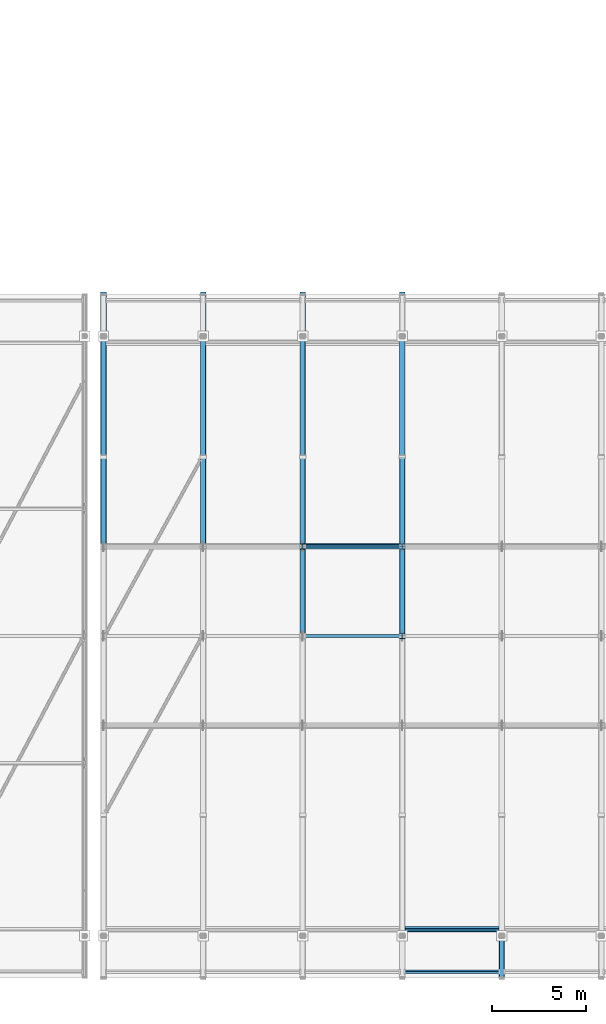
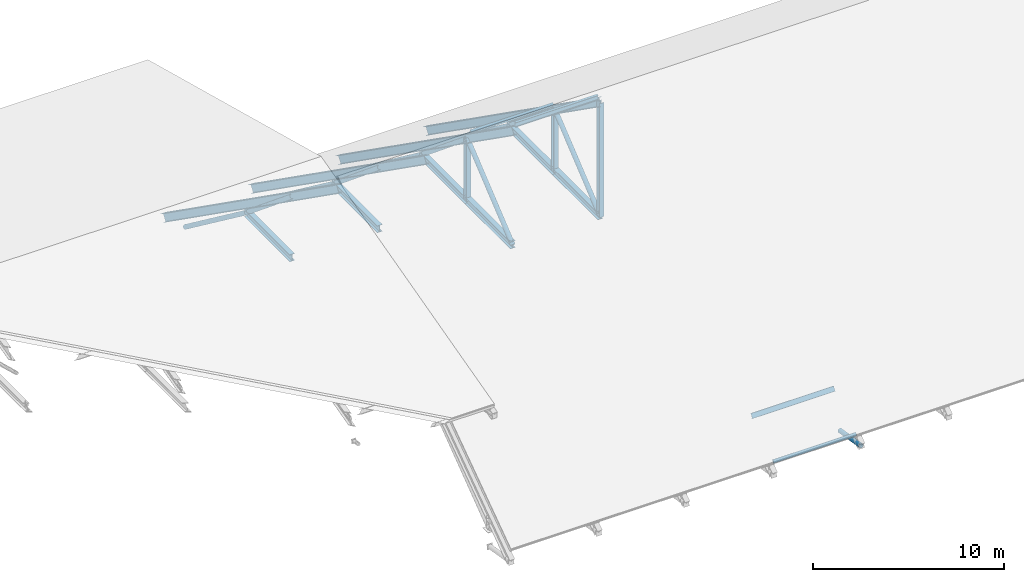
# One storey, part 11 of 57: 24 members, 4 beams.
"""IFC4 building model written with IfcOpenShell, lengths in metres."""

import ifcopenshell
import ifcopenshell.guid

model = None  # the IFC model being written
_history = None  # IfcOwnerHistory: only IFC2X3 demands one
_inside = {}  # id of a spatial element -> (the spatial element, [elements in it])
_under = {}  # id of a project, library or spatial element -> (it, [spatial elements below it])
_declared = {}  # id of a project -> (the project, [libraries it declares])
_typed = {}  # id of a type object -> (the type object, [elements of that type])
_made_of = {}  # id of a material, layer set ... -> (it, [elements and type objects made of it])


def new_model(schema):
    """Start an empty IFC model of exactly this schema.

    Asked for "IFC4X3", IfcOpenShell would pick the latest addendum, in which some entities
    have other attributes; the version numbers below select the first issue.
    IFC2X3 requires an IfcOwnerHistory on every rooted entity: one is made here for all.
    """
    global model, _history
    if schema == "IFC4X3":
        model = ifcopenshell.file(schema_version=(4, 3, 0, 0))
    else:
        model = ifcopenshell.file(schema=schema)
    _inside.clear()
    _under.clear()
    _declared.clear()
    _typed.clear()
    _made_of.clear()
    _history = None
    if model.schema == "IFC2X3":
        org = make("IfcOrganization", Name="unknown")
        user = make(
            "IfcPersonAndOrganization",
            ThePerson=make("IfcPerson", FamilyName="unknown"),
            TheOrganization=org,
        )
        app = make(
            "IfcApplication",
            ApplicationDeveloper=org,
            Version="unknown",
            ApplicationFullName="unknown",
            ApplicationIdentifier="unknown",
        )
        _history = make(
            "IfcOwnerHistory",
            OwningUser=user,
            OwningApplication=app,
            ChangeAction="ADDED",
            CreationDate=0,
        )
    return model


def make(cls, **values):
    """One entity of the class cls with the attributes given. An attribute that is None is left unset."""
    return model.create_entity(
        cls, **{name: value for name, value in values.items() if value is not None}
    )


def rooted(cls, **values):
    """An entity with a GlobalId (a new one), such as an element, a storey or a relation."""
    return make(cls, GlobalId=ifcopenshell.guid.new(), OwnerHistory=_history, **values)


def si_unit(unit_type, name, prefix=None):
    """IfcSIUnit, for example si_unit("LENGTHUNIT", "METRE", prefix="MILLI")."""
    return make("IfcSIUnit", UnitType=unit_type, Prefix=prefix, Name=name)


def assignment(units):
    """IfcUnitAssignment: the units of a project."""
    return None if units is None else make("IfcUnitAssignment", Units=units)


def point(xyz):
    """IfcCartesianPoint."""
    return None if xyz is None else make("IfcCartesianPoint", Coordinates=xyz)


def direction(xyz):
    """IfcDirection."""
    return None if xyz is None else make("IfcDirection", DirectionRatios=xyz)


def frame(location, z_axis=None, x_axis=None):
    """IfcAxis2Placement3D, a coordinate frame: its origin and axes. An axis left out is left unset."""
    return make(
        "IfcAxis2Placement3D",
        Location=point(location),
        Axis=direction(z_axis),
        RefDirection=direction(x_axis),
    )


def frame_2d(location, x_axis=None):
    """IfcAxis2Placement2D, a coordinate frame in the plane: its origin and x axis."""
    return make(
        "IfcAxis2Placement2D", Location=point(location), RefDirection=direction(x_axis)
    )


def origin():
    """The frame at (0, 0, 0) with its axes left unset."""
    return frame((0.0, 0.0, 0.0))


def origin_2d():
    """The frame at (0, 0) in the plane with its x axis left unset."""
    return frame_2d((0.0, 0.0))


def place(relative_to, where):
    """IfcLocalPlacement: puts the frame where relative to a parent placement (None: the world)."""
    return make(
        "IfcLocalPlacement", PlacementRelTo=relative_to, RelativePlacement=where
    )


def context(
    kind, dimensions, precision=None, world=None, true_north=None, identifier=None
):
    """IfcGeometricRepresentationContext, for example the 3D "Model" context."""
    return make(
        "IfcGeometricRepresentationContext",
        ContextIdentifier=identifier,
        ContextType=kind,
        CoordinateSpaceDimension=dimensions,
        Precision=precision,
        WorldCoordinateSystem=world,
        TrueNorth=true_north,
    )


def subcontext(parent, identifier, kind, view, scale=None):
    """IfcGeometricRepresentationSubContext, for example "Body" below "Model"."""
    return make(
        "IfcGeometricRepresentationSubContext",
        ContextIdentifier=identifier,
        ContextType=kind,
        ParentContext=parent,
        TargetScale=scale,
        TargetView=view,
    )


def project(units=None, contexts=None):
    """IfcProject with its units and contexts."""
    return rooted(
        "IfcProject",
        Name="project",
        RepresentationContexts=contexts,
        UnitsInContext=assignment(units),
    )


def spatial(cls, under=None, at=None, **own):
    """A site, building, storey or space (cls), placed at a placement, below another one or the project."""
    s = rooted(cls, ObjectPlacement=at, **own)
    if under is not None:
        _under.setdefault(under.id(), (under, []))[1].append(s)
    return s


def profile(cls, at=None, kind="AREA", **sizes):
    """A parametric profile (cls). Its sizes go by their IFC names, for example OverallWidth=200.0."""
    return make(cls, ProfileType=kind, Position=at, **sizes)


def hollow_rectangle(**sizes):
    """IfcRectangleHollowProfileDef."""
    return profile("IfcRectangleHollowProfileDef", **sizes)


def hollow_circle(**sizes):
    """IfcCircleHollowProfileDef."""
    return profile("IfcCircleHollowProfileDef", **sizes)


def i_section(**sizes):
    """IfcIShapeProfileDef."""
    return profile("IfcIShapeProfileDef", **sizes)


def extrude(swept, where, along, depth):
    """IfcExtrudedAreaSolid: the profile swept, set in the frame where, extruded along a direction by depth."""
    return make(
        "IfcExtrudedAreaSolid",
        SweptArea=swept,
        Position=where,
        ExtrudedDirection=direction(along),
        Depth=depth,
    )


def shape(context_of_items, identifier, shape_type, items):
    """IfcShapeRepresentation: the items that make up one representation, for example the "Body"."""
    return make(
        "IfcShapeRepresentation",
        ContextOfItems=context_of_items,
        RepresentationIdentifier=identifier,
        RepresentationType=shape_type,
        Items=items,
    )


def material(Name=None, Category=None):
    """IfcMaterial."""
    return make("IfcMaterial", Name=Name, Category=Category)


def material_profile(
    of_material, cross_section, Name=None, Category=None, Priority=None
):
    """IfcMaterialProfile: a cross section and its material."""
    return make(
        "IfcMaterialProfile",
        Name=Name,
        Material=of_material,
        Profile=cross_section,
        Priority=Priority,
        Category=Category,
    )


def profile_set(profiles, Name=None, composite=None):
    """IfcMaterialProfileSet."""
    return make(
        "IfcMaterialProfileSet",
        Name=Name,
        MaterialProfiles=profiles,
        CompositeProfile=composite,
    )


def made_of(thing, what):
    """Note that an element or type object is made of a material, layer set ...; save() writes the relation."""
    if what is not None:
        _made_of.setdefault(what.id(), (what, []))[1].append(thing)
    return thing


def type_object(cls, material=None, **own):
    """A type object (cls), such as IfcWallType, which elements share."""
    return made_of(rooted(cls, **own), material)


def element(
    cls,
    number,
    at=None,
    inside=None,
    cuts=None,
    type_object=None,
    material=None,
    context=None,
    identifier="Body",
    shape_type=None,
    held_by="IfcProductDefinitionShape",
    body=None,
    shapes=None,
    **own,
):
    """One element of the class cls, such as IfcWall. Its Tag is "e" and its number.

    at: its placement. inside: the storey or other place that contains it. cuts: it is an
    opening in that element (IfcRelVoidsElement). A single representation is given by context,
    identifier, shape_type and body (its items); several are given by shapes. held_by: the class
    of the entity that holds the representations. save() writes the other relations.
    """
    e = rooted(cls, Tag="e%d" % number, ObjectPlacement=at, **own)
    if body is not None:
        shapes = [shape(context, identifier, shape_type, body)]
    if shapes is not None:
        e.Representation = make(held_by, Representations=shapes)
    if inside is not None:
        _inside.setdefault(inside.id(), (inside, []))[1].append(e)
    if cuts is not None:
        rooted(
            "IfcRelVoidsElement", RelatingBuildingElement=cuts, RelatedOpeningElement=e
        )
    if type_object is not None:
        _typed.setdefault(type_object.id(), (type_object, []))[1].append(e)
    return made_of(e, material)


def aggregate(whole, parts):
    """IfcRelAggregates: a whole, such as a stair, and the parts it consists of."""
    return rooted("IfcRelAggregates", RelatingObject=whole, RelatedObjects=parts)


def save(model, path):
    """Write the relations noted so far, then the file.

    IfcRelAggregates (storeys below a building ...), IfcRelContainedInSpatialStructure (elements
    in a storey), IfcRelDefinesByType, IfcRelAssociatesMaterial and IfcRelDeclares: one each for
    every whole, place, type object, material and project.
    """
    for whole, parts in _under.values():
        aggregate(whole, parts)
    for where, things in _inside.values():
        rooted(
            "IfcRelContainedInSpatialStructure",
            RelatedElements=things,
            RelatingStructure=where,
        )
    for kind, things in _typed.values():
        rooted("IfcRelDefinesByType", RelatedObjects=things, RelatingType=kind)
    for what, things in _made_of.values():
        rooted("IfcRelAssociatesMaterial", RelatedObjects=things, RelatingMaterial=what)
    for by, libraries in _declared.values():
        rooted("IfcRelDeclares", RelatingContext=by, RelatedDefinitions=libraries)
    model.write(path)


model = new_model("IFC4")

# Units and contexts
model_context = context("Model", 3, precision=1e-05, world=origin(), true_north=direction((0.0, 1.0)))
body_context = subcontext(model_context, "Body", "Model", "MODEL_VIEW")
ifc_project = project(units=[si_unit("LENGTHUNIT", "METRE"), si_unit("AREAUNIT", "SQUARE_METRE"), si_unit("VOLUMEUNIT", "CUBIC_METRE"), si_unit("PLANEANGLEUNIT", "RADIAN"), si_unit("MASSUNIT", "GRAM", prefix="KILO")], contexts=[model_context])

# Site, building, storey
site_placement = place(None, origin())
site = spatial("IfcSite", under=ifc_project, at=site_placement, CompositionType="ELEMENT")
building_placement = place(site_placement, origin())
building = spatial("IfcBuilding", under=site, at=building_placement, Name="Kelarvand Opera House", CompositionType="ELEMENT")
storey_placement = place(building_placement, frame((0.0, 0.0, 33.60009765625)))
storey = spatial("IfcBuildingStorey", under=building, at=storey_placement, Name="Roof", CompositionType="ELEMENT", Elevation=33.60009765625)

# Members
ifc_material = material(Name="Steel S355", Category="steel")
ifc_material_profile_1 = material_profile(ifc_material, hollow_circle(Radius=0.136474609375, WallThickness=0.012451171875, at=origin_2d()), Name="CHS 273.0x12.5", Category="steel")
ifc_profile_set_1 = profile_set([ifc_material_profile_1], Name="Steel S355")
member_type_1 = type_object("IfcMemberType", Name="Structural Brace CHS 273.0x12.5 BR-CHS273", PredefinedType="BRACE", material=ifc_profile_set_1)
member_1_placement = place(storey_placement, frame((89.0, 78.39990234375, -9.60009765625), z_axis=(0.0, -0.799992675677, 0.60000976564), x_axis=(1.0, 0.0, 0.0)))
element("IfcMember", 1, at=member_1_placement, inside=storey, type_object=member_type_1, Name="V1 Roof Truss 1 Support Tie N", PredefinedType="BRACE", context=body_context, shape_type="SweptSolid", body=[
    extrude(hollow_circle(Radius=0.136474609375, WallThickness=0.012451171875, at=origin_2d()), origin(), (0.0, 0.0, 1.0), 8.0),
])
member_2_placement = place(storey_placement, frame((89.0, 67.25, -0.891357421875), z_axis=(0.0, 0.772175345454, -0.635409502504), x_axis=(-1.0, 0.0, 0.0)))
element("IfcMember", 2, at=member_2_placement, inside=storey, type_object=member_type_1, Name="V1 Roof Truss 1 Web Diagonal 4", PredefinedType="BRACE", context=body_context, shape_type="SweptSolid", body=[
    extrude(hollow_circle(Radius=0.136474609375, WallThickness=0.012451171875, at=origin_2d()), origin(), (0.0, 0.0, 1.0), 6.1513671875),
])
member_3_placement = place(storey_placement, frame((94.280029296875, 78.39990234375, -9.60009765625), z_axis=(0.0, -0.799992675677, 0.60000976564), x_axis=(1.0, 0.0, 0.0)))
element("IfcMember", 3, at=member_3_placement, inside=storey, type_object=member_type_1, Name="V1 Roof Truss 2 Support Tie N", PredefinedType="BRACE", context=body_context, shape_type="SweptSolid", body=[
    extrude(hollow_circle(Radius=0.136474609375, WallThickness=0.012451171875, at=origin_2d()), origin(), (0.0, 0.0, 1.0), 8.0),
])
member_4_placement = place(storey_placement, frame((94.280029296875, 67.25, -0.891357421875), z_axis=(0.0, 0.772175345454, -0.635409502504), x_axis=(-1.0, 0.0, 0.0)))
element("IfcMember", 4, at=member_4_placement, inside=storey, type_object=member_type_1, Name="V1 Roof Truss 2 Web Diagonal 4", PredefinedType="BRACE", context=body_context, shape_type="SweptSolid", body=[
    extrude(hollow_circle(Radius=0.136474609375, WallThickness=0.012451171875, at=origin_2d()), origin(), (0.0, 0.0, 1.0), 6.1513671875),
])
member_5_placement = place(storey_placement, frame((99.56005859375, 78.39990234375, -9.60009765625), z_axis=(0.0, -0.799992675677, 0.60000976564), x_axis=(1.0, 0.0, 0.0)))
element("IfcMember", 5, at=member_5_placement, inside=storey, type_object=member_type_1, Name="V1 Roof Truss 3 Support Tie N", PredefinedType="BRACE", context=body_context, shape_type="SweptSolid", body=[
    extrude(hollow_circle(Radius=0.136474609375, WallThickness=0.012451171875, at=origin_2d()), origin(), (0.0, 0.0, 1.0), 8.0),
])
for number, where, z_axis, x_axis, name in (
    (6, (99.56005859375, 62.5, -4.800048828125), (0.0, 0.772175345454, 0.635409502504), (-1.0, 0.0, 0.0), "V1 Roof Truss 3 Web Diagonal 3"),
    (7, (99.56005859375, 67.25, -0.891357421875), (0.0, 0.772175345454, -0.635409502504), (-1.0, 0.0, 0.0), "V1 Roof Truss 3 Web Diagonal 4"),
):
    element("IfcMember", number, at=place(storey_placement, frame(where, z_axis=z_axis, x_axis=x_axis)), inside=storey, type_object=member_type_1, Name=name, PredefinedType="BRACE", context=body_context, shape_type="SweptSolid", body=[
        extrude(hollow_circle(Radius=0.136474609375, WallThickness=0.012451171875, at=origin_2d()), origin(), (0.0, 0.0, 1.0), 6.1513671875),
    ])
member_6_placement = place(storey_placement, frame((104.840087890625, 78.39990234375, -9.60009765625), z_axis=(0.0, -0.799992675677, 0.60000976564), x_axis=(1.0, 0.0, 0.0)))
element("IfcMember", 8, at=member_6_placement, inside=storey, type_object=member_type_1, Name="V1 Roof Truss 4 Support Tie N", PredefinedType="BRACE", context=body_context, shape_type="SweptSolid", body=[
    extrude(hollow_circle(Radius=0.136474609375, WallThickness=0.012451171875, at=origin_2d()), origin(), (0.0, 0.0, 1.0), 8.0),
])
for number, where, z_axis, x_axis, name in (
    (9, (104.840087890625, 62.5, -4.800048828125), (0.0, 0.772175345454, 0.635409502504), (-1.0, 0.0, 0.0), "V1 Roof Truss 4 Web Diagonal 3"),
    (10, (104.840087890625, 67.25, -0.891357421875), (0.0, 0.772175345454, -0.635409502504), (-1.0, 0.0, 0.0), "V1 Roof Truss 4 Web Diagonal 4"),
):
    element("IfcMember", number, at=place(storey_placement, frame(where, z_axis=z_axis, x_axis=x_axis)), inside=storey, type_object=member_type_1, Name=name, PredefinedType="BRACE", context=body_context, shape_type="SweptSolid", body=[
        extrude(hollow_circle(Radius=0.136474609375, WallThickness=0.012451171875, at=origin_2d()), origin(), (0.0, 0.0, 1.0), 6.1513671875),
    ])
member_7_placement = place(storey_placement, frame((110.1201171875, 46.60009765625, -10.7001953125), z_axis=(0.0, -0.986305042144, 0.164931391313), x_axis=(1.0, 0.0, 0.0)))
element("IfcMember", 11, at=member_7_placement, inside=storey, type_object=member_type_1, Name="V1 Roof Truss 5 Eave Knee Brace S", PredefinedType="BRACE", context=body_context, shape_type="SweptSolid", body=[
    extrude(hollow_circle(Radius=0.136474609375, WallThickness=0.012451171875, at=origin_2d()), origin(), (0.0, 0.0, 1.0), 2.230712890625),
])
ifc_material_profile_2 = material_profile(ifc_material, i_section(OverallWidth=0.300048828125, OverallDepth=0.449951171875, WebThickness=0.013916015625, FlangeThickness=0.02587890625, at=origin_2d()), Name="HEB 450", Category="steel")
ifc_profile_set_2 = profile_set([ifc_material_profile_2], Name="Steel S355")
member_type_2 = type_object("IfcMemberType", Name="Structural Chord HEB 450 CH-HEB450", PredefinedType="CHORD", material=ifc_profile_set_2)
for number, where, z_axis, x_axis, name in (
    (12, (89.0, 67.25, -4.800048828125), (0.0, 1.0, 0.0), (-1.0, 0.0, 0.0), "V1 Roof Truss 1 Bottom Chord 4"),
    (13, (94.280029296875, 67.25, -4.800048828125), (0.0, 1.0, 0.0), (-1.0, 0.0, 0.0), "V1 Roof Truss 2 Bottom Chord 4"),
    (14, (99.56005859375, 62.5, -4.800048828125), (0.0, 1.0, 0.0), (-1.0, 0.0, 0.0), "V1 Roof Truss 3 Bottom Chord 3"),
    (15, (99.56005859375, 67.25, -4.800048828125), (0.0, 1.0, 0.0), (-1.0, 0.0, 0.0), "V1 Roof Truss 3 Bottom Chord 4"),
    (16, (104.840087890625, 62.5, -4.800048828125), (0.0, 1.0, 0.0), (-1.0, 0.0, 0.0), "V1 Roof Truss 4 Bottom Chord 3"),
    (17, (104.840087890625, 67.25, -4.800048828125), (0.0, 1.0, 0.0), (-1.0, 0.0, 0.0), "V1 Roof Truss 4 Bottom Chord 4"),
):
    element("IfcMember", number, at=place(storey_placement, frame(where, z_axis=z_axis, x_axis=x_axis)), inside=storey, type_object=member_type_2, Name=name, PredefinedType="CHORD", context=body_context, shape_type="SweptSolid", body=[
        extrude(i_section(OverallWidth=0.300048828125, OverallDepth=0.449951171875, WebThickness=0.013916015625, FlangeThickness=0.02587890625, at=origin_2d()), origin(), (0.0, 0.0, 1.0), 4.75),
    ])
ifc_material_profile_3 = material_profile(ifc_material, i_section(OverallWidth=0.280029296875, OverallDepth=0.280029296875, WebThickness=0.010498046875, FlangeThickness=0.01806640625, at=origin_2d()), Name="HEB 280", Category="steel")
ifc_profile_set_3 = profile_set([ifc_material_profile_3], Name="Steel S355")
member_type_3 = type_object("IfcMemberType", Name="Structural Post HEB 280 PS-HEB280", PredefinedType="POST", material=ifc_profile_set_3)
member_8_placement = place(storey_placement, frame((99.56005859375, 67.25, -4.800048828125), z_axis=(0.0, 0.0, 1.0), x_axis=(1.0, 0.0, 0.0)))
element("IfcMember", 18, at=member_8_placement, inside=storey, type_object=member_type_3, Name="V1 Roof Truss 3 Post 3", PredefinedType="POST", context=body_context, shape_type="SweptSolid", body=[
    extrude(i_section(OverallWidth=0.280029296875, OverallDepth=0.280029296875, WebThickness=0.010498046875, FlangeThickness=0.01806640625, at=origin_2d()), origin(), (0.0, 0.0, 1.0), 3.90869140625),
])
member_9_placement = place(storey_placement, frame((104.840087890625, 62.5, -4.800048828125), z_axis=(0.0, 0.0, 1.0), x_axis=(1.0, 0.0, 0.0)))
element("IfcMember", 19, at=member_9_placement, inside=storey, type_object=member_type_3, Name="V1 Roof Truss 4 Post 2", PredefinedType="POST", context=body_context, shape_type="SweptSolid", body=[
    extrude(i_section(OverallWidth=0.280029296875, OverallDepth=0.280029296875, WebThickness=0.010498046875, FlangeThickness=0.01806640625, at=origin_2d()), origin(), (0.0, 0.0, 1.0), 7.267822265625),
])
member_10_placement = place(storey_placement, frame((104.840087890625, 67.25, -4.800048828125), z_axis=(0.0, 0.0, 1.0), x_axis=(1.0, 0.0, 0.0)))
element("IfcMember", 20, at=member_10_placement, inside=storey, type_object=member_type_3, Name="V1 Roof Truss 4 Post 3", PredefinedType="POST", context=body_context, shape_type="SweptSolid", body=[
    extrude(i_section(OverallWidth=0.280029296875, OverallDepth=0.280029296875, WebThickness=0.010498046875, FlangeThickness=0.01806640625, at=origin_2d()), origin(), (0.0, 0.0, 1.0), 3.90869140625),
])
ifc_material_profile_4 = material_profile(ifc_material, i_section(OverallWidth=0.14990234375, OverallDepth=0.300048828125, WebThickness=0.007080078125, FlangeThickness=0.0107421875, at=origin_2d()), Name="IPE 300", Category="steel")
ifc_profile_set_4 = profile_set([ifc_material_profile_4], Name="Steel S355")
member_type_4 = type_object("IfcMemberType", Name="Structural Purlin IPE 300 PR-IPE300", PredefinedType="PURLIN", material=ifc_profile_set_4)
for number, where, z_axis, x_axis, name in (
    (21, (99.699951171875, 62.5, 2.826416015625), (1.0, 0.0, 0.0), (0.0, 1.0, 0.0), "V1 Roof Purlin 3.4"),
    (22, (99.699951171875, 67.25, -0.548583984375), (1.0, 0.0, 0.0), (0.0, 0.816440043737, 0.577430216549), "V1 Roof Purlin 3.5"),
    (23, (104.97998046875, 46.949951171875, -8.18603515625), (1.0, 0.0, 0.0), (0.0, 0.816440043737, -0.577430216549), "V1 Roof Purlin 4.2"),
):
    element("IfcMember", number, at=place(storey_placement, frame(where, z_axis=z_axis, x_axis=x_axis)), inside=storey, type_object=member_type_4, Name=name, PredefinedType="PURLIN", context=body_context, shape_type="SweptSolid", body=[
        extrude(i_section(OverallWidth=0.14990234375, OverallDepth=0.300048828125, WebThickness=0.007080078125, FlangeThickness=0.0107421875, at=origin_2d()), origin(), (0.0, 0.0, 1.0), 5.0),
    ])
ifc_material_profile_5 = material_profile(ifc_material, hollow_rectangle(XDim=0.10009765625, YDim=0.199951171875, WallThickness=0.008056640625, at=origin_2d()), Name="RHS 200x100x8.0", Category="steel")
ifc_profile_set_5 = profile_set([ifc_material_profile_5], Name="Steel S355")
member_type_5 = type_object("IfcMemberType", Name="Structural Purlin RHS 200x100x8.0 PR-RHS200E", PredefinedType="PURLIN", material=ifc_profile_set_5)
member_11_placement = place(storey_placement, frame((104.97998046875, 44.699951171875, -9.721923828125), z_axis=(1.0, 0.0, 0.0), x_axis=(0.0, 0.816440043737, -0.577430216549)))
element("IfcMember", 24, at=member_11_placement, inside=storey, type_object=member_type_5, Name="V1 Roof Purlin 4.1", PredefinedType="PURLIN", context=body_context, shape_type="SweptSolid", body=[
    extrude(hollow_rectangle(XDim=0.10009765625, YDim=0.199951171875, WallThickness=0.008056640625, at=origin_2d()), origin(), (0.0, 0.0, 1.0), 5.0),
])

# Beams
ifc_material_profile_6 = material_profile(ifc_material, i_section(OverallWidth=0.300048828125, OverallDepth=0.5, WebThickness=0.014404296875, FlangeThickness=0.028076171875, at=origin_2d()), Name="HEB 500", Category="steel")
ifc_profile_set_6 = profile_set([ifc_material_profile_6], Name="Steel S355")
beam_type = type_object("IfcBeamType", Name="Structural Roof Truss HEB 500 RT-HEB500", PredefinedType="USERDEFINED", material=ifc_profile_set_6)
for number, where, z_axis, x_axis, name in (
    (25, (89.0, 62.5, 2.4677734375), (0.0, 0.816467936104, -0.577390776956), (-1.0, 0.0, 0.0), "V1 Roof Truss 1 Top Chord Rafter 2"),
    (26, (94.280029296875, 62.5, 2.4677734375), (0.0, 0.816467936104, -0.577390776956), (-1.0, 0.0, 0.0), "V1 Roof Truss 2 Top Chord Rafter 2"),
    (27, (99.56005859375, 62.5, 2.4677734375), (0.0, 0.816467936104, -0.577390776956), (-1.0, 0.0, 0.0), "V1 Roof Truss 3 Top Chord Rafter 2"),
    (28, (104.840087890625, 62.5, 2.4677734375), (0.0, 0.816467936104, -0.577390776956), (-1.0, 0.0, 0.0), "V1 Roof Truss 4 Top Chord Rafter 2"),
):
    element("IfcBeam", number, at=place(storey_placement, frame(where, z_axis=z_axis, x_axis=x_axis)), inside=storey, type_object=beam_type, Name=name, ObjectType="ROOF TRUSS", PredefinedType="USERDEFINED", context=body_context, shape_type="SweptSolid", body=[
        extrude(i_section(OverallWidth=0.300048828125, OverallDepth=0.5, WebThickness=0.014404296875, FlangeThickness=0.028076171875, at=origin_2d()), origin(), (0.0, 0.0, 1.0), 22.168701171875),
    ])

save(model, "model.ifc")
